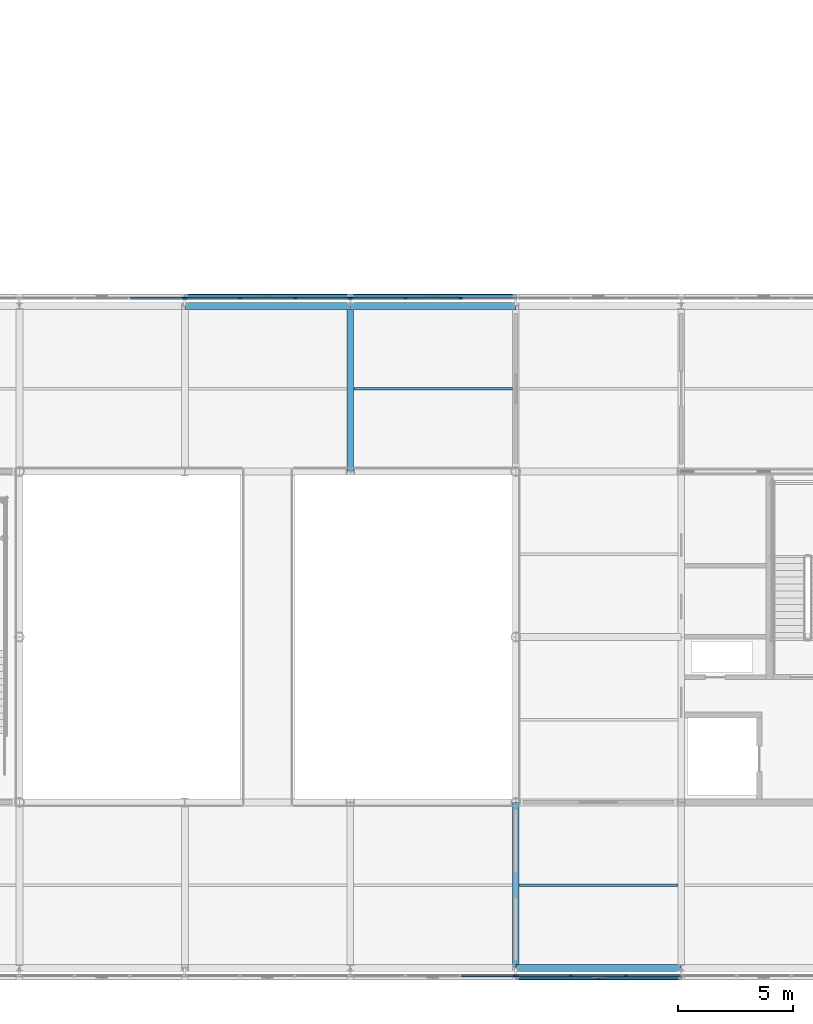
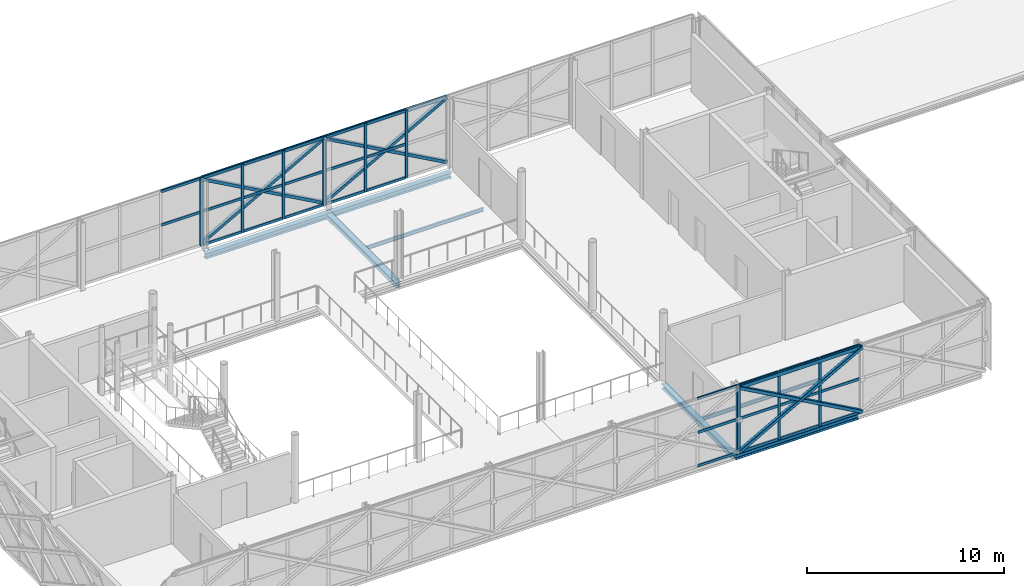
# One storey, part 39 of 103: 53 members, 7 beams, 5 elements without a shape of their own.
"""IFC4 building model written with IfcOpenShell, lengths in metres."""

from ifc_helpers import new_model, si_unit, direction, frame, origin, origin_2d, place, context, subcontext, project, spatial, rectangle, hollow_rectangle, i_section, extrude, material, material_profile, profile_set, type_object, element, aggregate, save


model = new_model("IFC4")

# Units and contexts
model_context = context("Model", 3, precision=1e-05, world=origin(), true_north=direction((0.0, 1.0)))
body_context = subcontext(model_context, "Body", "Model", "MODEL_VIEW")
ifc_project = project(units=[si_unit("LENGTHUNIT", "METRE"), si_unit("AREAUNIT", "SQUARE_METRE"), si_unit("VOLUMEUNIT", "CUBIC_METRE"), si_unit("PLANEANGLEUNIT", "RADIAN"), si_unit("MASSUNIT", "GRAM", prefix="KILO")], contexts=[model_context])

# Site, building, storey
site_placement = place(None, origin())
site = spatial("IfcSite", under=ifc_project, at=site_placement, CompositionType="ELEMENT")
building_placement = place(site_placement, origin())
building = spatial("IfcBuilding", under=site, at=building_placement, Name="Zlatovets Crest Museum", CompositionType="ELEMENT")
storey_placement = place(building_placement, frame((0.0, 0.0, 12.89990234375)))
storey = spatial("IfcBuildingStorey", under=building, at=storey_placement, Name="L03", CompositionType="ELEMENT", Elevation=12.89990234375)

# Beams
ifc_material_1 = material(Name="Structural steel S355J2", Category="steel")
ifc_material_profile_1 = material_profile(ifc_material_1, i_section(OverallWidth=0.300048828125, OverallDepth=0.31005859375, WebThickness=0.009033203125, FlangeThickness=0.015380859375, FilletRadius=0.027099609375, at=origin_2d()), Name="HEA 320")
ifc_profile_set_1 = profile_set([ifc_material_profile_1], Name="Structural steel S355J2")
beam_type_1 = type_object("IfcBeamType", Name="Beam_B-04", PredefinedType="BEAM", material=ifc_profile_set_1)
for number, where, z_axis, x_axis, name in (
    (1, (86.39990234375, 21.60009765625, -0.39501953125), (0.0, 1.0, 0.0), (-1.0, 0.0, 0.0), "V2 L03 Grid Beam B-04"),
    (2, (93.60009765625, 0.0, -0.39501953125), (0.0, 1.0, 0.0), (-1.0, 0.0, 0.0), "V2 L03 Grid Beam B-04"),
):
    element("IfcBeam", number, at=place(storey_placement, frame(where, z_axis=z_axis, x_axis=x_axis)), inside=storey, type_object=beam_type_1, Name=name, PredefinedType="BEAM", context=body_context, shape_type="SweptSolid", body=[
        extrude(i_section(OverallWidth=0.300048828125, OverallDepth=0.31005859375, WebThickness=0.009033203125, FlangeThickness=0.015380859375, FilletRadius=0.027099609375, at=origin_2d()), origin(), (0.0, 0.0, 1.0), 7.199951171875),
    ])
ifc_material_profile_2 = material_profile(ifc_material_1, i_section(OverallWidth=0.300048828125, OverallDepth=0.330078125, WebThickness=0.009521484375, FlangeThickness=0.0166015625, FilletRadius=0.027099609375, at=origin_2d()), Name="HEA 340")
ifc_profile_set_2 = profile_set([ifc_material_profile_2], Name="Structural steel S355J2")
beam_type_2 = type_object("IfcBeamType", Name="Beam_B-11", PredefinedType="BEAM", material=ifc_profile_set_2)
for number, where, z_axis, x_axis, name in (
    (3, (93.60009765625, 0.0, -0.40478515625), (1.0, 0.0, 0.0), (0.0, 1.0, 0.0), "V2 L03 Primary Girder B-11"),
    (4, (79.199951171875, 28.800048828125, -0.40478515625), (1.0, 0.0, 0.0), (0.0, 1.0, 0.0), "V2 L03 Primary Girder B-11"),
):
    element("IfcBeam", number, at=place(storey_placement, frame(where, z_axis=z_axis, x_axis=x_axis)), inside=storey, type_object=beam_type_2, Name=name, PredefinedType="BEAM", context=body_context, shape_type="SweptSolid", body=[
        extrude(i_section(OverallWidth=0.300048828125, OverallDepth=0.330078125, WebThickness=0.009521484375, FlangeThickness=0.0166015625, FilletRadius=0.027099609375, at=origin_2d()), origin(), (0.0, 0.0, 1.0), 7.199951171875),
    ])
beam_placement = place(storey_placement, frame((86.39990234375, 28.800048828125, -0.40478515625), z_axis=(1.0, 0.0, 0.0), x_axis=(0.0, 1.0, 0.0)))
element("IfcBeam", 5, at=beam_placement, inside=storey, type_object=beam_type_2, Name="V2 L03 Primary Girder B-11", PredefinedType="BEAM", context=body_context, shape_type="SweptSolid", body=[
    extrude(i_section(OverallWidth=0.300048828125, OverallDepth=0.330078125, WebThickness=0.009521484375, FlangeThickness=0.0166015625, FilletRadius=0.027099609375, at=origin_2d()), origin(), (0.0, 0.0, 1.0), 7.2001953125),
])
ifc_material_profile_3 = material_profile(ifc_material_1, i_section(OverallWidth=0.110107421875, OverallDepth=0.219970703125, WebThickness=0.005859375, FlangeThickness=0.00927734375, FilletRadius=0.011962890625, at=origin_2d()), Name="IPE 220")
ifc_profile_set_3 = profile_set([ifc_material_profile_3], Name="Structural steel S355J2")
beam_type_3 = type_object("IfcBeamType", Name="Beam_J-10", PredefinedType="JOIST", material=ifc_profile_set_3)
for number, where, z_axis, x_axis, name in (
    (6, (86.550048828125, 25.199951171875, -0.349853515625), (1.0, 0.0, 0.0), (0.0, 1.0, 0.0), "V2 L03 Composite Joist J-10"),
    (7, (93.75, 3.60009765625, -0.349853515625), (1.0, 0.0, 0.0), (0.0, 1.0, 0.0), "V2 L03 Composite Joist J-10"),
):
    element("IfcBeam", number, at=place(storey_placement, frame(where, z_axis=z_axis, x_axis=x_axis)), inside=storey, type_object=beam_type_3, Name=name, PredefinedType="JOIST", context=body_context, shape_type="SweptSolid", body=[
        extrude(i_section(OverallWidth=0.110107421875, OverallDepth=0.219970703125, WebThickness=0.005859375, FlangeThickness=0.00927734375, FilletRadius=0.011962890625, at=origin_2d()), origin(), (0.0, 0.0, 1.0), 6.89990234375),
    ])

# Curtain wall, member
ifc_material_2 = material(Name="Bronze-anodised aluminium and low-E triple glass", Category="aluminium")
curtain_wall_type_1 = type_object("IfcCurtainWallType", Name="CW_CW-V2-L03-M0", PredefinedType="NOTDEFINED", material=ifc_material_2)
curtain_wall_1_placement = place(storey_placement, origin())
curtain_wall_1 = element("IfcCurtainWall", 8, at=curtain_wall_1_placement, inside=storey, type_object=curtain_wall_type_1, Name="V2 L03 Secession Foyer Clear Curtain Wall", PredefinedType="NOTDEFINED")
ifc_material_3 = material(Name="Bronze-anodised aluminium EN AW-6060", Category="aluminium")
ifc_material_profile_4 = material_profile(ifc_material_3, rectangle(XDim=0.080078125, YDim=0.159912109375, at=origin_2d()), Name="ALU 80x160")
ifc_profile_set_4 = profile_set([ifc_material_profile_4], Name="Bronze-anodised aluminium EN AW-6060")
member_type_1 = type_object("IfcMemberType", Name="CWMull_M1", PredefinedType="MULLION", material=ifc_profile_set_4)
member_1_placement = place(storey_placement, frame((93.570068359375, -0.340087890625, 0.0), z_axis=(0.0, 0.0, 1.0), x_axis=(0.0, 1.0, 0.0)))
member_1 = element("IfcMember", 9, at=member_1_placement, type_object=member_type_1, Name="CW-V2-L03-M0 mullion 4", PredefinedType="MULLION", context=body_context, shape_type="SweptSolid", body=[
    extrude(rectangle(XDim=0.080078125, YDim=0.159912109375, at=origin_2d()), origin(), (0.0, 0.0, 1.0), 4.2001953125),
])

# Curtain wall, members
curtain_wall_type_2 = type_object("IfcCurtainWallType", Name="CW_CW-V2-L03-M1", PredefinedType="NOTDEFINED", material=ifc_material_2)
curtain_wall_2_placement = place(storey_placement, origin())
curtain_wall_2 = element("IfcCurtainWall", 10, at=curtain_wall_2_placement, inside=storey, type_object=curtain_wall_type_2, Name="V2 L03 Secession Foyer Clear Curtain Wall", PredefinedType="NOTDEFINED")
member_2_placement = place(storey_placement, frame((93.6298828125, -0.340087890625, 0.0), z_axis=(0.0, 0.0, 1.0), x_axis=(0.0, 1.0, 0.0)))
member_2 = element("IfcMember", 11, at=member_2_placement, type_object=member_type_1, Name="CW-V2-L03-M1 mullion 1", PredefinedType="MULLION", context=body_context, shape_type="SweptSolid", body=[
    extrude(rectangle(XDim=0.080078125, YDim=0.159912109375, at=origin_2d()), origin(), (0.0, 0.0, 1.0), 4.2001953125),
])
member_3_placement = place(storey_placement, frame((96.0, -0.340087890625, 0.0), z_axis=(0.0, 0.0, 1.0), x_axis=(0.0, 1.0, 0.0)))
member_3 = element("IfcMember", 12, at=member_3_placement, type_object=member_type_1, Name="CW-V2-L03-M1 mullion 2", PredefinedType="MULLION", context=body_context, shape_type="SweptSolid", body=[
    extrude(rectangle(XDim=0.080078125, YDim=0.159912109375, at=origin_2d()), origin(), (0.0, 0.0, 1.0), 4.2001953125),
])
member_4_placement = place(storey_placement, frame((98.39990234375, -0.340087890625, 0.0), z_axis=(0.0, 0.0, 1.0), x_axis=(0.0, 1.0, 0.0)))
member_4 = element("IfcMember", 13, at=member_4_placement, type_object=member_type_1, Name="CW-V2-L03-M1 mullion 3", PredefinedType="MULLION", context=body_context, shape_type="SweptSolid", body=[
    extrude(rectangle(XDim=0.080078125, YDim=0.159912109375, at=origin_2d()), origin(), (0.0, 0.0, 1.0), 4.2001953125),
])

curtain_wall_3_placement = place(storey_placement, origin())
curtain_wall_3 = element("IfcCurtainWall", 14, at=curtain_wall_3_placement, inside=storey, type_object=curtain_wall_type_2, Name="V2 L03 Secession Foyer Clear Curtain Wall", PredefinedType="NOTDEFINED")
member_5_placement = place(storey_placement, frame((91.199951171875, 29.139892578125, 0.0), z_axis=(0.0, 0.0, 1.0), x_axis=(0.0, -1.0, 0.0)))
member_5 = element("IfcMember", 15, at=member_5_placement, type_object=member_type_1, Name="CW-V2-L03-M1 mullion 2", PredefinedType="MULLION", context=body_context, shape_type="SweptSolid", body=[
    extrude(rectangle(XDim=0.080078125, YDim=0.159912109375, at=origin_2d()), origin(), (0.0, 0.0, 1.0), 4.2001953125),
])
member_6_placement = place(storey_placement, frame((88.800048828125, 29.139892578125, 0.0), z_axis=(0.0, 0.0, 1.0), x_axis=(0.0, -1.0, 0.0)))
member_6 = element("IfcMember", 16, at=member_6_placement, type_object=member_type_1, Name="CW-V2-L03-M1 mullion 3", PredefinedType="MULLION", context=body_context, shape_type="SweptSolid", body=[
    extrude(rectangle(XDim=0.080078125, YDim=0.159912109375, at=origin_2d()), origin(), (0.0, 0.0, 1.0), 4.2001953125),
])
member_7_placement = place(storey_placement, frame((86.429931640625, 29.139892578125, 0.0), z_axis=(0.0, 0.0, 1.0), x_axis=(0.0, -1.0, 0.0)))
member_7 = element("IfcMember", 17, at=member_7_placement, type_object=member_type_1, Name="CW-V2-L03-M1 mullion 4", PredefinedType="MULLION", context=body_context, shape_type="SweptSolid", body=[
    extrude(rectangle(XDim=0.080078125, YDim=0.159912109375, at=origin_2d()), origin(), (0.0, 0.0, 1.0), 4.2001953125),
])

curtain_wall_type_3 = type_object("IfcCurtainWallType", Name="CW_CW-V2-L03-M2", PredefinedType="NOTDEFINED", material=ifc_material_2)
curtain_wall_4_placement = place(storey_placement, origin())
curtain_wall_4 = element("IfcCurtainWall", 18, at=curtain_wall_4_placement, inside=storey, type_object=curtain_wall_type_3, Name="V2 L03 Secession Foyer Clear Curtain Wall", PredefinedType="NOTDEFINED")
member_8_placement = place(storey_placement, frame((86.3701171875, 29.139892578125, 0.0), z_axis=(0.0, 0.0, 1.0), x_axis=(0.0, -1.0, 0.0)))
member_8 = element("IfcMember", 19, at=member_8_placement, type_object=member_type_1, Name="CW-V2-L03-M2 mullion 1", PredefinedType="MULLION", context=body_context, shape_type="SweptSolid", body=[
    extrude(rectangle(XDim=0.080078125, YDim=0.159912109375, at=origin_2d()), origin(), (0.0, 0.0, 1.0), 4.2001953125),
])
member_9_placement = place(storey_placement, frame((84.0, 29.139892578125, 0.0), z_axis=(0.0, 0.0, 1.0), x_axis=(0.0, -1.0, 0.0)))
member_9 = element("IfcMember", 20, at=member_9_placement, type_object=member_type_1, Name="CW-V2-L03-M2 mullion 2", PredefinedType="MULLION", context=body_context, shape_type="SweptSolid", body=[
    extrude(rectangle(XDim=0.080078125, YDim=0.159912109375, at=origin_2d()), origin(), (0.0, 0.0, 1.0), 4.2001953125),
])
member_10_placement = place(storey_placement, frame((81.60009765625, 29.139892578125, 0.0), z_axis=(0.0, 0.0, 1.0), x_axis=(0.0, -1.0, 0.0)))
member_10 = element("IfcMember", 21, at=member_10_placement, type_object=member_type_1, Name="CW-V2-L03-M2 mullion 3", PredefinedType="MULLION", context=body_context, shape_type="SweptSolid", body=[
    extrude(rectangle(XDim=0.080078125, YDim=0.159912109375, at=origin_2d()), origin(), (0.0, 0.0, 1.0), 4.2001953125),
])
member_11_placement = place(storey_placement, frame((79.22998046875, 29.139892578125, 0.0), z_axis=(0.0, 0.0, 1.0), x_axis=(0.0, -1.0, 0.0)))
member_11 = element("IfcMember", 22, at=member_11_placement, type_object=member_type_1, Name="CW-V2-L03-M2 mullion 4", PredefinedType="MULLION", context=body_context, shape_type="SweptSolid", body=[
    extrude(rectangle(XDim=0.080078125, YDim=0.159912109375, at=origin_2d()), origin(), (0.0, 0.0, 1.0), 4.2001953125),
])

# Curtain wall, member
curtain_wall_type_4 = type_object("IfcCurtainWallType", Name="CW_CW-V2-L03-M3", PredefinedType="NOTDEFINED", material=ifc_material_2)
curtain_wall_5_placement = place(storey_placement, origin())
curtain_wall_5 = element("IfcCurtainWall", 23, at=curtain_wall_5_placement, inside=storey, type_object=curtain_wall_type_4, Name="V2 L03 Secession Foyer Clear Curtain Wall", PredefinedType="NOTDEFINED")
member_12_placement = place(storey_placement, frame((79.169921875, 29.139892578125, 0.0), z_axis=(0.0, 0.0, 1.0), x_axis=(0.0, -1.0, 0.0)))
member_12 = element("IfcMember", 24, at=member_12_placement, type_object=member_type_1, Name="CW-V2-L03-M3 mullion 1", PredefinedType="MULLION", context=body_context, shape_type="SweptSolid", body=[
    extrude(rectangle(XDim=0.080078125, YDim=0.159912109375, at=origin_2d()), origin(), (0.0, 0.0, 1.0), 4.2001953125),
])

# Member
ifc_material_profile_5 = material_profile(ifc_material_3, rectangle(XDim=0.080078125, YDim=0.159912109375, at=origin_2d()), Name="ALU 80x160")
ifc_profile_set_5 = profile_set([ifc_material_profile_5], Name="Bronze-anodised aluminium EN AW-6060")
member_type_2 = type_object("IfcMemberType", Name="CWTrans_T1", PredefinedType="USERDEFINED", material=ifc_profile_set_5)
member_13_placement = place(storey_placement, frame((91.22998046875, -0.340087890625, 0.030029296875), z_axis=(1.0, 0.0, 0.0), x_axis=(0.0, 1.0, 0.0)))
member_13 = element("IfcMember", 25, at=member_13_placement, type_object=member_type_2, Name="CW-V2-L03-M0 transom 3.1", ObjectType="TRANSOM", PredefinedType="USERDEFINED", context=body_context, shape_type="SweptSolid", body=[
    extrude(rectangle(XDim=0.080078125, YDim=0.159912109375, at=origin_2d()), origin(), (0.0, 0.0, 1.0), 2.31005859375),
])

member_14_placement = place(storey_placement, frame((91.22998046875, -0.340087890625, 2.10009765625), z_axis=(1.0, 0.0, 0.0), x_axis=(0.0, 1.0, 0.0)))
member_14 = element("IfcMember", 26, at=member_14_placement, type_object=member_type_2, Name="CW-V2-L03-M0 transom 3.2", ObjectType="TRANSOM", PredefinedType="USERDEFINED", context=body_context, shape_type="SweptSolid", body=[
    extrude(rectangle(XDim=0.080078125, YDim=0.159912109375, at=origin_2d()), origin(), (0.0, 0.0, 1.0), 2.31005859375),
])

member_15_placement = place(storey_placement, frame((91.22998046875, -0.340087890625, 4.170166015625), z_axis=(1.0, 0.0, 0.0), x_axis=(0.0, 1.0, 0.0)))
member_15 = element("IfcMember", 27, at=member_15_placement, type_object=member_type_2, Name="CW-V2-L03-M0 transom 3.3", ObjectType="TRANSOM", PredefinedType="USERDEFINED", context=body_context, shape_type="SweptSolid", body=[
    extrude(rectangle(XDim=0.080078125, YDim=0.159912109375, at=origin_2d()), origin(), (0.0, 0.0, 1.0), 2.31005859375),
])

aggregate(curtain_wall_1, [member_1, member_13, member_14, member_15])

member_16_placement = place(storey_placement, frame((93.659912109375, -0.340087890625, 0.030029296875), z_axis=(1.0, 0.0, 0.0), x_axis=(0.0, 1.0, 0.0)))
member_16 = element("IfcMember", 28, at=member_16_placement, type_object=member_type_2, Name="CW-V2-L03-M1 transom 1.1", ObjectType="TRANSOM", PredefinedType="USERDEFINED", context=body_context, shape_type="SweptSolid", body=[
    extrude(rectangle(XDim=0.080078125, YDim=0.159912109375, at=origin_2d()), origin(), (0.0, 0.0, 1.0), 2.31005859375),
])

member_17_placement = place(storey_placement, frame((93.659912109375, -0.340087890625, 2.10009765625), z_axis=(1.0, 0.0, 0.0), x_axis=(0.0, 1.0, 0.0)))
member_17 = element("IfcMember", 29, at=member_17_placement, type_object=member_type_2, Name="CW-V2-L03-M1 transom 1.2", ObjectType="TRANSOM", PredefinedType="USERDEFINED", context=body_context, shape_type="SweptSolid", body=[
    extrude(rectangle(XDim=0.080078125, YDim=0.159912109375, at=origin_2d()), origin(), (0.0, 0.0, 1.0), 2.31005859375),
])

member_18_placement = place(storey_placement, frame((93.659912109375, -0.340087890625, 4.170166015625), z_axis=(1.0, 0.0, 0.0), x_axis=(0.0, 1.0, 0.0)))
member_18 = element("IfcMember", 30, at=member_18_placement, type_object=member_type_2, Name="CW-V2-L03-M1 transom 1.3", ObjectType="TRANSOM", PredefinedType="USERDEFINED", context=body_context, shape_type="SweptSolid", body=[
    extrude(rectangle(XDim=0.080078125, YDim=0.159912109375, at=origin_2d()), origin(), (0.0, 0.0, 1.0), 2.31005859375),
])

member_19_placement = place(storey_placement, frame((96.030029296875, -0.340087890625, 0.030029296875), z_axis=(1.0, 0.0, 0.0), x_axis=(0.0, 1.0, 0.0)))
member_19 = element("IfcMember", 31, at=member_19_placement, type_object=member_type_2, Name="CW-V2-L03-M1 transom 2.1", ObjectType="TRANSOM", PredefinedType="USERDEFINED", context=body_context, shape_type="SweptSolid", body=[
    extrude(rectangle(XDim=0.080078125, YDim=0.159912109375, at=origin_2d()), origin(), (0.0, 0.0, 1.0), 2.340087890625),
])

member_20_placement = place(storey_placement, frame((96.030029296875, -0.340087890625, 2.10009765625), z_axis=(1.0, 0.0, 0.0), x_axis=(0.0, 1.0, 0.0)))
member_20 = element("IfcMember", 32, at=member_20_placement, type_object=member_type_2, Name="CW-V2-L03-M1 transom 2.2", ObjectType="TRANSOM", PredefinedType="USERDEFINED", context=body_context, shape_type="SweptSolid", body=[
    extrude(rectangle(XDim=0.080078125, YDim=0.159912109375, at=origin_2d()), origin(), (0.0, 0.0, 1.0), 2.340087890625),
])

member_21_placement = place(storey_placement, frame((96.030029296875, -0.340087890625, 4.170166015625), z_axis=(1.0, 0.0, 0.0), x_axis=(0.0, 1.0, 0.0)))
member_21 = element("IfcMember", 33, at=member_21_placement, type_object=member_type_2, Name="CW-V2-L03-M1 transom 2.3", ObjectType="TRANSOM", PredefinedType="USERDEFINED", context=body_context, shape_type="SweptSolid", body=[
    extrude(rectangle(XDim=0.080078125, YDim=0.159912109375, at=origin_2d()), origin(), (0.0, 0.0, 1.0), 2.340087890625),
])

member_22_placement = place(storey_placement, frame((98.429931640625, -0.340087890625, 0.030029296875), z_axis=(1.0, 0.0, 0.0), x_axis=(0.0, 1.0, 0.0)))
member_22 = element("IfcMember", 34, at=member_22_placement, type_object=member_type_2, Name="CW-V2-L03-M1 transom 3.1", ObjectType="TRANSOM", PredefinedType="USERDEFINED", context=body_context, shape_type="SweptSolid", body=[
    extrude(rectangle(XDim=0.080078125, YDim=0.159912109375, at=origin_2d()), origin(), (0.0, 0.0, 1.0), 2.31005859375),
])

member_23_placement = place(storey_placement, frame((98.429931640625, -0.340087890625, 2.10009765625), z_axis=(1.0, 0.0, 0.0), x_axis=(0.0, 1.0, 0.0)))
member_23 = element("IfcMember", 35, at=member_23_placement, type_object=member_type_2, Name="CW-V2-L03-M1 transom 3.2", ObjectType="TRANSOM", PredefinedType="USERDEFINED", context=body_context, shape_type="SweptSolid", body=[
    extrude(rectangle(XDim=0.080078125, YDim=0.159912109375, at=origin_2d()), origin(), (0.0, 0.0, 1.0), 2.31005859375),
])

member_24_placement = place(storey_placement, frame((98.429931640625, -0.340087890625, 4.170166015625), z_axis=(1.0, 0.0, 0.0), x_axis=(0.0, 1.0, 0.0)))
member_24 = element("IfcMember", 36, at=member_24_placement, type_object=member_type_2, Name="CW-V2-L03-M1 transom 3.3", ObjectType="TRANSOM", PredefinedType="USERDEFINED", context=body_context, shape_type="SweptSolid", body=[
    extrude(rectangle(XDim=0.080078125, YDim=0.159912109375, at=origin_2d()), origin(), (0.0, 0.0, 1.0), 2.31005859375),
])

aggregate(curtain_wall_2, [member_2, member_3, member_4, member_16, member_17, member_18, member_19, member_20, member_21, member_22, member_23, member_24])

member_25_placement = place(storey_placement, frame((91.169921875, 29.139892578125, 0.030029296875), z_axis=(-1.0, 0.0, 0.0), x_axis=(0.0, -1.0, 0.0)))
member_25 = element("IfcMember", 37, at=member_25_placement, type_object=member_type_2, Name="CW-V2-L03-M1 transom 2.1", ObjectType="TRANSOM", PredefinedType="USERDEFINED", context=body_context, shape_type="SweptSolid", body=[
    extrude(rectangle(XDim=0.080078125, YDim=0.159912109375, at=origin_2d()), origin(), (0.0, 0.0, 1.0), 2.33984375),
])

member_26_placement = place(storey_placement, frame((91.169921875, 29.139892578125, 2.10009765625), z_axis=(-1.0, 0.0, 0.0), x_axis=(0.0, -1.0, 0.0)))
member_26 = element("IfcMember", 38, at=member_26_placement, type_object=member_type_2, Name="CW-V2-L03-M1 transom 2.2", ObjectType="TRANSOM", PredefinedType="USERDEFINED", context=body_context, shape_type="SweptSolid", body=[
    extrude(rectangle(XDim=0.080078125, YDim=0.159912109375, at=origin_2d()), origin(), (0.0, 0.0, 1.0), 2.33984375),
])

member_27_placement = place(storey_placement, frame((91.169921875, 29.139892578125, 4.170166015625), z_axis=(-1.0, 0.0, 0.0), x_axis=(0.0, -1.0, 0.0)))
member_27 = element("IfcMember", 39, at=member_27_placement, type_object=member_type_2, Name="CW-V2-L03-M1 transom 2.3", ObjectType="TRANSOM", PredefinedType="USERDEFINED", context=body_context, shape_type="SweptSolid", body=[
    extrude(rectangle(XDim=0.080078125, YDim=0.159912109375, at=origin_2d()), origin(), (0.0, 0.0, 1.0), 2.33984375),
])

member_28_placement = place(storey_placement, frame((88.77001953125, 29.139892578125, 0.030029296875), z_axis=(-1.0, 0.0, 0.0), x_axis=(0.0, -1.0, 0.0)))
member_28 = element("IfcMember", 40, at=member_28_placement, type_object=member_type_2, Name="CW-V2-L03-M1 transom 3.1", ObjectType="TRANSOM", PredefinedType="USERDEFINED", context=body_context, shape_type="SweptSolid", body=[
    extrude(rectangle(XDim=0.080078125, YDim=0.159912109375, at=origin_2d()), origin(), (0.0, 0.0, 1.0), 2.31005859375),
])

member_29_placement = place(storey_placement, frame((88.77001953125, 29.139892578125, 2.10009765625), z_axis=(-1.0, 0.0, 0.0), x_axis=(0.0, -1.0, 0.0)))
member_29 = element("IfcMember", 41, at=member_29_placement, type_object=member_type_2, Name="CW-V2-L03-M1 transom 3.2", ObjectType="TRANSOM", PredefinedType="USERDEFINED", context=body_context, shape_type="SweptSolid", body=[
    extrude(rectangle(XDim=0.080078125, YDim=0.159912109375, at=origin_2d()), origin(), (0.0, 0.0, 1.0), 2.31005859375),
])

member_30_placement = place(storey_placement, frame((88.77001953125, 29.139892578125, 4.170166015625), z_axis=(-1.0, 0.0, 0.0), x_axis=(0.0, -1.0, 0.0)))
member_30 = element("IfcMember", 42, at=member_30_placement, type_object=member_type_2, Name="CW-V2-L03-M1 transom 3.3", ObjectType="TRANSOM", PredefinedType="USERDEFINED", context=body_context, shape_type="SweptSolid", body=[
    extrude(rectangle(XDim=0.080078125, YDim=0.159912109375, at=origin_2d()), origin(), (0.0, 0.0, 1.0), 2.31005859375),
])

aggregate(curtain_wall_3, [member_5, member_6, member_7, member_25, member_26, member_27, member_28, member_29, member_30])

member_31_placement = place(storey_placement, frame((86.340087890625, 29.139892578125, 0.030029296875), z_axis=(-1.0, 0.0, 0.0), x_axis=(0.0, -1.0, 0.0)))
member_31 = element("IfcMember", 43, at=member_31_placement, type_object=member_type_2, Name="CW-V2-L03-M2 transom 1.1", ObjectType="TRANSOM", PredefinedType="USERDEFINED", context=body_context, shape_type="SweptSolid", body=[
    extrude(rectangle(XDim=0.080078125, YDim=0.159912109375, at=origin_2d()), origin(), (0.0, 0.0, 1.0), 2.31005859375),
])

member_32_placement = place(storey_placement, frame((86.340087890625, 29.139892578125, 2.10009765625), z_axis=(-1.0, 0.0, 0.0), x_axis=(0.0, -1.0, 0.0)))
member_32 = element("IfcMember", 44, at=member_32_placement, type_object=member_type_2, Name="CW-V2-L03-M2 transom 1.2", ObjectType="TRANSOM", PredefinedType="USERDEFINED", context=body_context, shape_type="SweptSolid", body=[
    extrude(rectangle(XDim=0.080078125, YDim=0.159912109375, at=origin_2d()), origin(), (0.0, 0.0, 1.0), 2.31005859375),
])

member_33_placement = place(storey_placement, frame((86.340087890625, 29.139892578125, 4.170166015625), z_axis=(-1.0, 0.0, 0.0), x_axis=(0.0, -1.0, 0.0)))
member_33 = element("IfcMember", 45, at=member_33_placement, type_object=member_type_2, Name="CW-V2-L03-M2 transom 1.3", ObjectType="TRANSOM", PredefinedType="USERDEFINED", context=body_context, shape_type="SweptSolid", body=[
    extrude(rectangle(XDim=0.080078125, YDim=0.159912109375, at=origin_2d()), origin(), (0.0, 0.0, 1.0), 2.31005859375),
])

member_34_placement = place(storey_placement, frame((83.969970703125, 29.139892578125, 0.030029296875), z_axis=(-1.0, 0.0, 0.0), x_axis=(0.0, -1.0, 0.0)))
member_34 = element("IfcMember", 46, at=member_34_placement, type_object=member_type_2, Name="CW-V2-L03-M2 transom 2.1", ObjectType="TRANSOM", PredefinedType="USERDEFINED", context=body_context, shape_type="SweptSolid", body=[
    extrude(rectangle(XDim=0.080078125, YDim=0.159912109375, at=origin_2d()), origin(), (0.0, 0.0, 1.0), 2.340087890625),
])

member_35_placement = place(storey_placement, frame((83.969970703125, 29.139892578125, 2.10009765625), z_axis=(-1.0, 0.0, 0.0), x_axis=(0.0, -1.0, 0.0)))
member_35 = element("IfcMember", 47, at=member_35_placement, type_object=member_type_2, Name="CW-V2-L03-M2 transom 2.2", ObjectType="TRANSOM", PredefinedType="USERDEFINED", context=body_context, shape_type="SweptSolid", body=[
    extrude(rectangle(XDim=0.080078125, YDim=0.159912109375, at=origin_2d()), origin(), (0.0, 0.0, 1.0), 2.340087890625),
])

member_36_placement = place(storey_placement, frame((83.969970703125, 29.139892578125, 4.170166015625), z_axis=(-1.0, 0.0, 0.0), x_axis=(0.0, -1.0, 0.0)))
member_36 = element("IfcMember", 48, at=member_36_placement, type_object=member_type_2, Name="CW-V2-L03-M2 transom 2.3", ObjectType="TRANSOM", PredefinedType="USERDEFINED", context=body_context, shape_type="SweptSolid", body=[
    extrude(rectangle(XDim=0.080078125, YDim=0.159912109375, at=origin_2d()), origin(), (0.0, 0.0, 1.0), 2.340087890625),
])

member_37_placement = place(storey_placement, frame((81.570068359375, 29.139892578125, 0.030029296875), z_axis=(-1.0, 0.0, 0.0), x_axis=(0.0, -1.0, 0.0)))
member_37 = element("IfcMember", 49, at=member_37_placement, type_object=member_type_2, Name="CW-V2-L03-M2 transom 3.1", ObjectType="TRANSOM", PredefinedType="USERDEFINED", context=body_context, shape_type="SweptSolid", body=[
    extrude(rectangle(XDim=0.080078125, YDim=0.159912109375, at=origin_2d()), origin(), (0.0, 0.0, 1.0), 2.31005859375),
])

member_38_placement = place(storey_placement, frame((81.570068359375, 29.139892578125, 2.10009765625), z_axis=(-1.0, 0.0, 0.0), x_axis=(0.0, -1.0, 0.0)))
member_38 = element("IfcMember", 50, at=member_38_placement, type_object=member_type_2, Name="CW-V2-L03-M2 transom 3.2", ObjectType="TRANSOM", PredefinedType="USERDEFINED", context=body_context, shape_type="SweptSolid", body=[
    extrude(rectangle(XDim=0.080078125, YDim=0.159912109375, at=origin_2d()), origin(), (0.0, 0.0, 1.0), 2.31005859375),
])

member_39_placement = place(storey_placement, frame((81.570068359375, 29.139892578125, 4.170166015625), z_axis=(-1.0, 0.0, 0.0), x_axis=(0.0, -1.0, 0.0)))
member_39 = element("IfcMember", 51, at=member_39_placement, type_object=member_type_2, Name="CW-V2-L03-M2 transom 3.3", ObjectType="TRANSOM", PredefinedType="USERDEFINED", context=body_context, shape_type="SweptSolid", body=[
    extrude(rectangle(XDim=0.080078125, YDim=0.159912109375, at=origin_2d()), origin(), (0.0, 0.0, 1.0), 2.31005859375),
])

aggregate(curtain_wall_4, [member_8, member_9, member_10, member_11, member_31, member_32, member_33, member_34, member_35, member_36, member_37, member_38, member_39])

member_40_placement = place(storey_placement, frame((79.139892578125, 29.139892578125, 2.10009765625), z_axis=(-1.0, 0.0, 0.0), x_axis=(0.0, -1.0, 0.0)))
member_40 = element("IfcMember", 52, at=member_40_placement, type_object=member_type_2, Name="CW-V2-L03-M3 transom 1.2", ObjectType="TRANSOM", PredefinedType="USERDEFINED", context=body_context, shape_type="SweptSolid", body=[
    extrude(rectangle(XDim=0.080078125, YDim=0.159912109375, at=origin_2d()), origin(), (0.0, 0.0, 1.0), 2.309814453125),
])

member_41_placement = place(storey_placement, frame((79.139892578125, 29.139892578125, 4.170166015625), z_axis=(-1.0, 0.0, 0.0), x_axis=(0.0, -1.0, 0.0)))
member_41 = element("IfcMember", 53, at=member_41_placement, type_object=member_type_2, Name="CW-V2-L03-M3 transom 1.3", ObjectType="TRANSOM", PredefinedType="USERDEFINED", context=body_context, shape_type="SweptSolid", body=[
    extrude(rectangle(XDim=0.080078125, YDim=0.159912109375, at=origin_2d()), origin(), (0.0, 0.0, 1.0), 2.309814453125),
])

aggregate(curtain_wall_5, [member_12, member_40, member_41])

# Members
ifc_material_4 = material(Name="Weathering bronze-steel S355J2W", Category="steel")
ifc_material_profile_6 = material_profile(ifc_material_4, hollow_rectangle(XDim=0.199951171875, YDim=0.199951171875, WallThickness=0.012451171875, InnerFilletRadius=0.012451171875, OuterFilletRadius=0.02490234375, at=origin_2d()), Name="SHS 200x200x12.5")
ifc_profile_set_6 = profile_set([ifc_material_profile_6], Name="Weathering bronze-steel S355J2W")
member_type_3 = type_object("IfcMemberType", Name="Lattice_XL-02", PredefinedType="BRACE", material=ifc_profile_set_6)
member_42_placement = place(storey_placement, frame((93.60009765625, -0.419921875, 0.10009765625), z_axis=(0.874155877937, 0.0, 0.485645447903), x_axis=(0.0, 1.0, 0.0)))
element("IfcMember", 54, at=member_42_placement, inside=storey, type_object=member_type_3, Name="Continuous Bronze Lattice Diagonal", PredefinedType="BRACE", context=body_context, shape_type="SweptSolid", body=[
    extrude(hollow_rectangle(XDim=0.199951171875, YDim=0.199951171875, WallThickness=0.012451171875, InnerFilletRadius=0.012451171875, OuterFilletRadius=0.02490234375, at=origin_2d()), origin(), (0.0, 0.0, 1.0), 8.236572265625),
])
member_43_placement = place(storey_placement, frame((93.60009765625, -0.419921875, 4.10009765625), z_axis=(0.874151551165, 0.0, -0.485653235958), x_axis=(0.0, 1.0, 0.0)))
element("IfcMember", 55, at=member_43_placement, inside=storey, type_object=member_type_3, Name="Split Crossing Bronze Lattice Diagonal Upper", PredefinedType="BRACE", context=body_context, shape_type="SweptSolid", body=[
    extrude(hollow_rectangle(XDim=0.199951171875, YDim=0.199951171875, WallThickness=0.012451171875, InnerFilletRadius=0.012451171875, OuterFilletRadius=0.02490234375, at=origin_2d()), origin(), (0.0, 0.0, 1.0), 4.023193359375),
])
member_44_placement = place(storey_placement, frame((97.282958984375, -0.419921875, 2.053955078125), z_axis=(0.874165862873, 0.0, -0.485627474703), x_axis=(0.0, 1.0, 0.0)))
element("IfcMember", 56, at=member_44_placement, inside=storey, type_object=member_type_3, Name="Split Crossing Bronze Lattice Diagonal Lower", PredefinedType="BRACE", context=body_context, shape_type="SweptSolid", body=[
    extrude(hollow_rectangle(XDim=0.199951171875, YDim=0.199951171875, WallThickness=0.012451171875, InnerFilletRadius=0.012451171875, OuterFilletRadius=0.02490234375, at=origin_2d()), origin(), (0.0, 0.0, 1.0), 4.0234375),
])
member_45_placement = place(storey_placement, frame((93.60009765625, 29.219970703125, 0.10009765625), z_axis=(-0.874162868644, 0.0, 0.485632864501), x_axis=(0.0, -1.0, 0.0)))
element("IfcMember", 57, at=member_45_placement, inside=storey, type_object=member_type_3, Name="Continuous Bronze Lattice Diagonal", PredefinedType="BRACE", context=body_context, shape_type="SweptSolid", body=[
    extrude(hollow_rectangle(XDim=0.199951171875, YDim=0.199951171875, WallThickness=0.012451171875, InnerFilletRadius=0.012451171875, OuterFilletRadius=0.02490234375, at=origin_2d()), origin(), (0.0, 0.0, 1.0), 8.236572265625),
])
for number, where, z_axis, x_axis, name in (
    (58, (93.60009765625, 29.219970703125, 4.10009765625), (-0.874165862873, 0.0, -0.485627474703), (0.0, -1.0, 0.0), "Split Crossing Bronze Lattice Diagonal Upper"),
    (59, (89.9169921875, 29.219970703125, 2.053955078125), (-0.874165862873, 0.0, -0.485627474703), (0.0, -1.0, 0.0), "Split Crossing Bronze Lattice Diagonal Lower"),
):
    element("IfcMember", number, at=place(storey_placement, frame(where, z_axis=z_axis, x_axis=x_axis)), inside=storey, type_object=member_type_3, Name=name, PredefinedType="BRACE", context=body_context, shape_type="SweptSolid", body=[
        extrude(hollow_rectangle(XDim=0.199951171875, YDim=0.199951171875, WallThickness=0.012451171875, InnerFilletRadius=0.012451171875, OuterFilletRadius=0.02490234375, at=origin_2d()), origin(), (0.0, 0.0, 1.0), 4.0234375),
    ])
member_46_placement = place(storey_placement, frame((86.39990234375, 29.219970703125, 0.10009765625), z_axis=(-0.874155877937, 0.0, 0.485645447903), x_axis=(0.0, -1.0, 0.0)))
element("IfcMember", 60, at=member_46_placement, inside=storey, type_object=member_type_3, Name="Continuous Bronze Lattice Diagonal", PredefinedType="BRACE", context=body_context, shape_type="SweptSolid", body=[
    extrude(hollow_rectangle(XDim=0.199951171875, YDim=0.199951171875, WallThickness=0.012451171875, InnerFilletRadius=0.012451171875, OuterFilletRadius=0.02490234375, at=origin_2d()), origin(), (0.0, 0.0, 1.0), 8.236572265625),
])
member_47_placement = place(storey_placement, frame((86.39990234375, 29.219970703125, 4.10009765625), z_axis=(-0.874151551165, 0.0, -0.485653235958), x_axis=(0.0, -1.0, 0.0)))
element("IfcMember", 61, at=member_47_placement, inside=storey, type_object=member_type_3, Name="Split Crossing Bronze Lattice Diagonal Upper", PredefinedType="BRACE", context=body_context, shape_type="SweptSolid", body=[
    extrude(hollow_rectangle(XDim=0.199951171875, YDim=0.199951171875, WallThickness=0.012451171875, InnerFilletRadius=0.012451171875, OuterFilletRadius=0.02490234375, at=origin_2d()), origin(), (0.0, 0.0, 1.0), 4.023193359375),
])
member_48_placement = place(storey_placement, frame((82.717041015625, 29.219970703125, 2.053955078125), z_axis=(-0.874165862873, 0.0, -0.485627474703), x_axis=(0.0, -1.0, 0.0)))
element("IfcMember", 62, at=member_48_placement, inside=storey, type_object=member_type_3, Name="Split Crossing Bronze Lattice Diagonal Lower", PredefinedType="BRACE", context=body_context, shape_type="SweptSolid", body=[
    extrude(hollow_rectangle(XDim=0.199951171875, YDim=0.199951171875, WallThickness=0.012451171875, InnerFilletRadius=0.012451171875, OuterFilletRadius=0.02490234375, at=origin_2d()), origin(), (0.0, 0.0, 1.0), 4.0234375),
])
ifc_material_profile_7 = material_profile(ifc_material_4, hollow_rectangle(XDim=0.1201171875, YDim=0.239990234375, WallThickness=0.010009765625, InnerFilletRadius=0.010009765625, OuterFilletRadius=0.02001953125, at=origin_2d()), Name="RHS 120x240x10.0")
ifc_profile_set_7 = profile_set([ifc_material_profile_7], Name="Weathering bronze-steel S355J2W")
member_type_4 = type_object("IfcMemberType", Name="Lattice_XL-04", PredefinedType="CHORD", material=ifc_profile_set_7)
member_49_placement = place(storey_placement, frame((93.60009765625, -0.419921875, 4.10009765625), z_axis=(1.0, 0.0, 0.0), x_axis=(0.0, 1.0, 0.0)))
element("IfcMember", 63, at=member_49_placement, inside=storey, type_object=member_type_4, Name="Art Nouveau Woven Cage Collector Ring Chord", PredefinedType="CHORD", context=body_context, shape_type="SweptSolid", body=[
    extrude(hollow_rectangle(XDim=0.1201171875, YDim=0.239990234375, WallThickness=0.010009765625, InnerFilletRadius=0.010009765625, OuterFilletRadius=0.02001953125, at=origin_2d()), origin(), (0.0, 0.0, 1.0), 7.199951171875),
])
member_50_placement = place(storey_placement, frame((93.60009765625, 29.219970703125, 4.10009765625), z_axis=(-1.0, 0.0, 0.0), x_axis=(0.0, -1.0, 0.0)))
element("IfcMember", 64, at=member_50_placement, inside=storey, type_object=member_type_4, Name="Art Nouveau Woven Cage Collector Ring Chord", PredefinedType="CHORD", context=body_context, shape_type="SweptSolid", body=[
    extrude(hollow_rectangle(XDim=0.1201171875, YDim=0.239990234375, WallThickness=0.010009765625, InnerFilletRadius=0.010009765625, OuterFilletRadius=0.02001953125, at=origin_2d()), origin(), (0.0, 0.0, 1.0), 7.2001953125),
])
member_51_placement = place(storey_placement, frame((86.39990234375, 29.219970703125, 4.10009765625), z_axis=(-1.0, 0.0, 0.0), x_axis=(0.0, -1.0, 0.0)))
element("IfcMember", 65, at=member_51_placement, inside=storey, type_object=member_type_4, Name="Art Nouveau Woven Cage Collector Ring Chord", PredefinedType="CHORD", context=body_context, shape_type="SweptSolid", body=[
    extrude(hollow_rectangle(XDim=0.1201171875, YDim=0.239990234375, WallThickness=0.010009765625, InnerFilletRadius=0.010009765625, OuterFilletRadius=0.02001953125, at=origin_2d()), origin(), (0.0, 0.0, 1.0), 7.199951171875),
])

save(model, "model.ifc")
